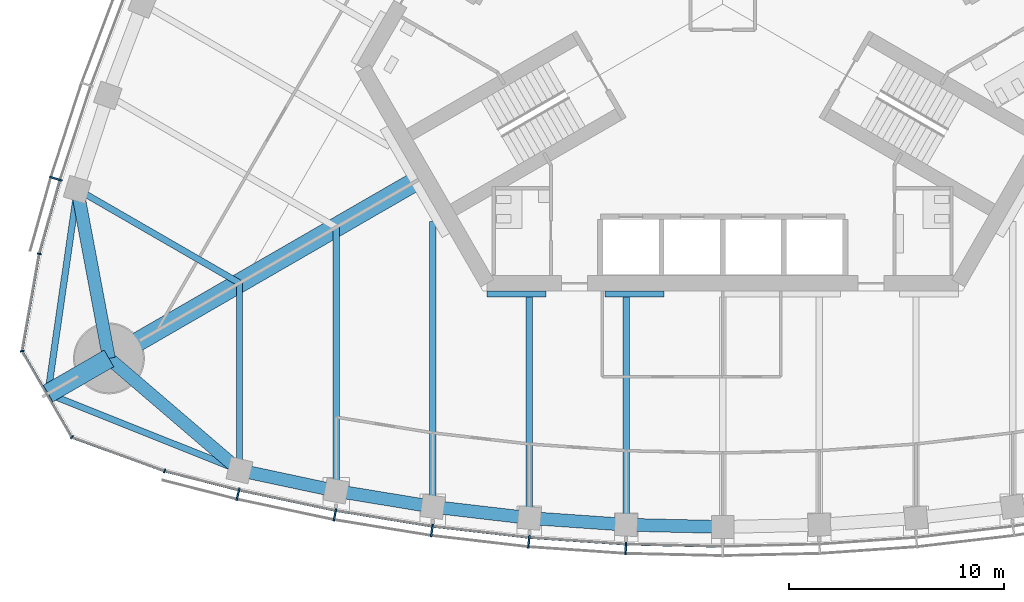
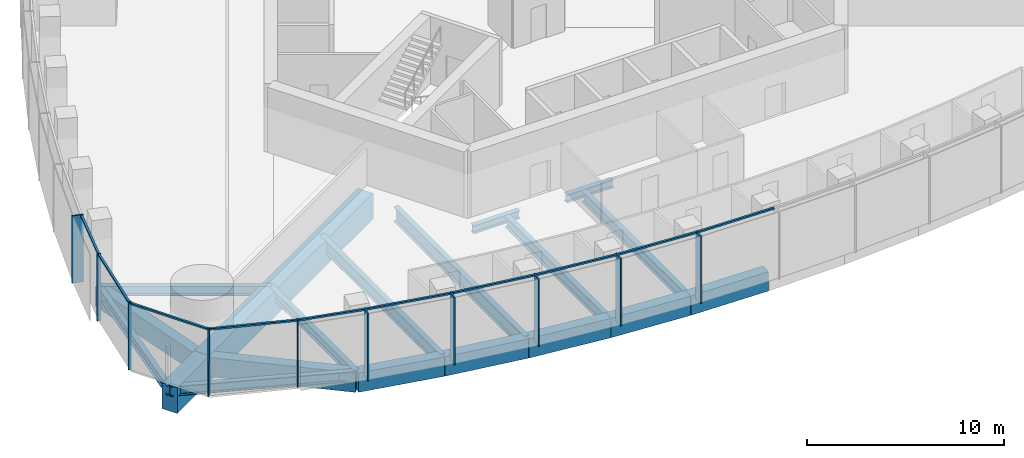
# One storey, part 2 of 20: 20 members, 19 beams, 3 elements without a shape of their own.
"""IFC4 building model written with IfcOpenShell, lengths in metres."""

from ifc_helpers import new_model, si_unit, direction, frame, origin, origin_2d, place, context, subcontext, project, spatial, rectangle, i_section, extrude, material, material_profile, profile_set, type_object, element, aggregate, save


model = new_model("IFC4")

# Units and contexts
model_context = context("Model", 3, precision=1e-05, world=origin(), true_north=direction((0.0, 1.0)))
body_context = subcontext(model_context, "Body", "Model", "MODEL_VIEW")
ifc_project = project(units=[si_unit("LENGTHUNIT", "METRE"), si_unit("AREAUNIT", "SQUARE_METRE"), si_unit("VOLUMEUNIT", "CUBIC_METRE"), si_unit("PLANEANGLEUNIT", "RADIAN"), si_unit("MASSUNIT", "GRAM", prefix="KILO")], contexts=[model_context])

# Site, building, storey
site_placement = place(None, origin())
site = spatial("IfcSite", under=ifc_project, at=site_placement, CompositionType="ELEMENT")
building_placement = place(site_placement, origin())
building = spatial("IfcBuilding", under=site, at=building_placement, Name="Trefoil Bronze Tower", CompositionType="ELEMENT")
storey_placement = place(building_placement, frame((0.0, 0.0, 231.699951171875)))
storey = spatial("IfcBuildingStorey", under=building, at=storey_placement, Name="L53", CompositionType="ELEMENT", Elevation=231.699951171875)

# Curtain wall, members
ifc_material_1 = material(Name="Tinted solar-control glass", Category="glass")
curtain_wall_type_1 = type_object("IfcCurtainWallType", Name="Bronze office curtain wall", PredefinedType="USERDEFINED", material=ifc_material_1)
curtain_wall_1_placement = place(storey_placement, origin())
curtain_wall_1 = element("IfcCurtainWall", 1, at=curtain_wall_1_placement, inside=storey, type_object=curtain_wall_type_1, Name="CW-A L53 F1", ObjectType="CURTAIN WALL", PredefinedType="USERDEFINED")
ifc_material_2 = material(Name="Bronze-finish aluminium", Category="aluminium")
ifc_material_profile_1 = material_profile(ifc_material_2, rectangle(XDim=0.60009765625, YDim=0.080078125, at=origin_2d()), Name="CW-A mullion")
ifc_profile_set_1 = profile_set([ifc_material_profile_1], Name="Bronze-finish aluminium")
member_type_1 = type_object("IfcMemberType", Name="Bronze office curtain wall mullion", PredefinedType="MULLION", material=ifc_profile_set_1)
member_1_placement = place(storey_placement, frame((-22.568115234375, -22.82421875, 0.0), z_axis=(0.0, 0.0, 1.0), x_axis=(0.227082662569, 0.973875487093, 0.0)))
member_1 = element("IfcMember", 2, at=member_1_placement, type_object=member_type_1, Name="CW-A L53 F1 mullion 2", PredefinedType="MULLION", context=body_context, shape_type="SweptSolid", body=[
    extrude(rectangle(XDim=0.60009765625, YDim=0.080078125, at=origin_2d()), origin(), (0.0, 0.0, 1.0), 4.179931640625),
])
member_2_placement = place(storey_placement, frame((-18.05517578125, -23.77783203125, 0.0), z_axis=(0.0, 0.0, 1.0), x_axis=(0.183825368167, 0.982958917767, 0.0)))
member_2 = element("IfcMember", 3, at=member_2_placement, type_object=member_type_1, Name="CW-A L53 F1 mullion 3", PredefinedType="MULLION", context=body_context, shape_type="SweptSolid", body=[
    extrude(rectangle(XDim=0.60009765625, YDim=0.080078125, at=origin_2d()), origin(), (0.0, 0.0, 1.0), 4.179931640625),
])
member_3_placement = place(storey_placement, frame((-13.541259765625, -24.51318359375, 0.0), z_axis=(0.0, 0.0, 1.0), x_axis=(0.137867887204, 0.990450627582, 0.0)))
member_3 = element("IfcMember", 4, at=member_3_placement, type_object=member_type_1, Name="CW-A L53 F1 mullion 4", PredefinedType="MULLION", context=body_context, shape_type="SweptSolid", body=[
    extrude(rectangle(XDim=0.60009765625, YDim=0.080078125, at=origin_2d()), origin(), (0.0, 0.0, 1.0), 4.179931640625),
])
member_4_placement = place(storey_placement, frame((-9.027587890625, -25.03515625, 0.0), z_axis=(0.0, 0.0, 1.0), x_axis=(0.091911396394, 0.995767189263, 0.0)))
member_4 = element("IfcMember", 5, at=member_4_placement, type_object=member_type_1, Name="CW-A L53 F1 mullion 5", PredefinedType="MULLION", context=body_context, shape_type="SweptSolid", body=[
    extrude(rectangle(XDim=0.60009765625, YDim=0.080078125, at=origin_2d()), origin(), (0.0, 0.0, 1.0), 4.179931640625),
])
member_5_placement = place(storey_placement, frame((-4.513671875, -25.346923828125, 0.0), z_axis=(0.0, 0.0, 1.0), x_axis=(0.045955542372, 0.998943485952, 0.0)))
member_5 = element("IfcMember", 6, at=member_5_placement, type_object=member_type_1, Name="CW-A L53 F1 mullion 6", PredefinedType="MULLION", context=body_context, shape_type="SweptSolid", body=[
    extrude(rectangle(XDim=0.60009765625, YDim=0.080078125, at=origin_2d()), origin(), (0.0, 0.0, 1.0), 4.179931640625),
])

# Curtain wall, member
curtain_wall_2_placement = place(storey_placement, origin())
curtain_wall_2 = element("IfcCurtainWall", 7, at=curtain_wall_2_placement, inside=storey, type_object=curtain_wall_type_1, Name="CW-A L53 F3", ObjectType="CURTAIN WALL", PredefinedType="USERDEFINED")
member_6_placement = place(storey_placement, frame((-31.05029296875, -8.132568359375, 0.0), z_axis=(0.0, 0.0, 1.0), x_axis=(0.95694224323, -0.290278389002, 0.0)))
member_6 = element("IfcMember", 8, at=member_6_placement, type_object=member_type_1, Name="CW-A L53 F3 mullion 12", PredefinedType="MULLION", context=body_context, shape_type="SweptSolid", body=[
    extrude(rectangle(XDim=0.60009765625, YDim=0.080078125, at=origin_2d()), origin(), (0.0, 0.0, 1.0), 4.179931640625),
])

# Member
ifc_material_3 = material(Name="Bronze-finish aluminium", Category="aluminium")
ifc_material_profile_2 = material_profile(ifc_material_3, rectangle(XDim=0.1201171875, YDim=0.10009765625, at=origin_2d()), Name="CW-A transom")
ifc_profile_set_2 = profile_set([ifc_material_profile_2], Name="Bronze-finish aluminium")
member_type_2 = type_object("IfcMemberType", Name="Bronze office curtain wall transom", PredefinedType="USERDEFINED", material=ifc_profile_set_2)
member_7_placement = place(storey_placement, frame((-25.93896484375, -21.75732421875, 4.130126953125), z_axis=(0.968935220916, -0.247314653162, 0.0), x_axis=(0.247314653162, 0.968935220916, 0.0)))
member_7 = element("IfcMember", 9, at=member_7_placement, type_object=member_type_2, Name="CW-A L53 F1 transom 1", ObjectType="TRANSOM", PredefinedType="USERDEFINED", context=body_context, shape_type="SweptSolid", body=[
    extrude(rectangle(XDim=0.1201171875, YDim=0.10009765625, at=origin_2d()), origin(), (0.0, 0.0, 1.0), 3.483642578125),
])

member_8_placement = place(storey_placement, frame((-22.4814453125, -22.63818359375, 4.130126953125), z_axis=(0.978395325657, -0.20674280334, 0.0), x_axis=(0.20674280334, 0.978395325657, 0.0)))
member_8 = element("IfcMember", 10, at=member_8_placement, type_object=member_type_2, Name="CW-A L53 F1 transom 2", ObjectType="TRANSOM", PredefinedType="USERDEFINED", context=body_context, shape_type="SweptSolid", body=[
    extrude(rectangle(XDim=0.1201171875, YDim=0.10009765625, at=origin_2d()), origin(), (0.0, 0.0, 1.0), 4.519287109375),
])

member_9_placement = place(storey_placement, frame((-17.9765625, -23.588134765625, 4.130126953125), z_axis=(0.986988367046, -0.160791676761, 0.0), x_axis=(0.160791676761, 0.986988367046, 0.0)))
member_9 = element("IfcMember", 11, at=member_9_placement, type_object=member_type_2, Name="CW-A L53 F1 transom 3", ObjectType="TRANSOM", PredefinedType="USERDEFINED", context=body_context, shape_type="SweptSolid", body=[
    extrude(rectangle(XDim=0.1201171875, YDim=0.10009765625, at=origin_2d()), origin(), (0.0, 0.0, 1.0), 4.479248046875),
])

member_10_placement = place(storey_placement, frame((-13.4716796875, -24.320068359375, 4.130126953125), z_axis=(0.993384885596, -0.114832352013, 0.0), x_axis=(0.114832352013, 0.993384885596, 0.0)))
member_10 = element("IfcMember", 12, at=member_10_placement, type_object=member_type_2, Name="CW-A L53 F1 transom 4", ObjectType="TRANSOM", PredefinedType="USERDEFINED", context=body_context, shape_type="SweptSolid", body=[
    extrude(rectangle(XDim=0.1201171875, YDim=0.10009765625, at=origin_2d()), origin(), (0.0, 0.0, 1.0), 4.449951171875),
])

member_11_placement = place(storey_placement, frame((-8.967041015625, -24.8388671875, 4.130126953125), z_axis=(0.997621320987, -0.06893257512, 0.0), x_axis=(0.06893257512, 0.997621320987, 0.0)))
member_11 = element("IfcMember", 13, at=member_11_placement, type_object=member_type_2, Name="CW-A L53 F1 transom 5", ObjectType="TRANSOM", PredefinedType="USERDEFINED", context=body_context, shape_type="SweptSolid", body=[
    extrude(rectangle(XDim=0.1201171875, YDim=0.10009765625, at=origin_2d()), origin(), (0.0, 0.0, 1.0), 4.4306640625),
])

member_12_placement = place(storey_placement, frame((-4.46240234375, -25.148193359375, 4.130126953125), z_axis=(0.999736131416, -0.022971015226, 0.0), x_axis=(0.022971015226, 0.999736131416, 0.0)))
member_12 = element("IfcMember", 14, at=member_12_placement, type_object=member_type_2, Name="CW-A L53 F1 transom 6", ObjectType="TRANSOM", PredefinedType="USERDEFINED", context=body_context, shape_type="SweptSolid", body=[
    extrude(rectangle(XDim=0.1201171875, YDim=0.10009765625, at=origin_2d()), origin(), (0.0, 0.0, 1.0), 4.42138671875),
])

aggregate(curtain_wall_1, [member_1, member_2, member_3, member_4, member_5, member_7, member_8, member_9, member_10, member_11, member_12])

member_13_placement = place(storey_placement, frame((-30.870361328125, -8.23095703125, 4.130126953125), z_axis=(-0.270284880437, -0.962780392097, 0.0), x_axis=(0.962780392097, -0.270284880437, 0.0)))
member_13 = element("IfcMember", 15, at=member_13_placement, type_object=member_type_2, Name="CW-A L53 F3 transom 12", ObjectType="TRANSOM", PredefinedType="USERDEFINED", context=body_context, shape_type="SweptSolid", body=[
    extrude(rectangle(XDim=0.1201171875, YDim=0.10009765625, at=origin_2d()), origin(), (0.0, 0.0, 1.0), 3.48388671875),
])

aggregate(curtain_wall_2, [member_6, member_13])

# Curtain wall, members
ifc_material_4 = material(Name="Tinted solar-control glass", Category="glass")
curtain_wall_type_2 = type_object("IfcCurtainWallType", Name="Bronze rounded corner curtain wall", PredefinedType="USERDEFINED", material=ifc_material_4)
curtain_wall_3_placement = place(storey_placement, origin())
curtain_wall_3 = element("IfcCurtainWall", 16, at=curtain_wall_3_placement, inside=storey, type_object=curtain_wall_type_2, Name="CW-B L53 K3", ObjectType="CURTAIN WALL", PredefinedType="USERDEFINED")
ifc_material_5 = material(Name="Bronze-finish aluminium", Category="aluminium")
ifc_material_profile_3 = material_profile(ifc_material_5, rectangle(XDim=0.199951171875, YDim=0.06005859375, at=origin_2d()), Name="CW-B mullion")
ifc_profile_set_3 = profile_set([ifc_material_profile_3], Name="Bronze-finish aluminium")
member_type_3 = type_object("IfcMemberType", Name="Bronze rounded corner curtain wall mullion", PredefinedType="MULLION", material=ifc_profile_set_3)
member_14_placement = place(storey_placement, frame((-31.824951171875, -11.63330078125, 0.0), z_axis=(0.0, 0.0, 1.0), x_axis=(0.984807753012, -0.173648177667, 0.0)))
member_14 = element("IfcMember", 17, at=member_14_placement, type_object=member_type_3, Name="CW-B L53 K3 mullion 1", PredefinedType="MULLION", context=body_context, shape_type="SweptSolid", body=[
    extrude(rectangle(XDim=0.199951171875, YDim=0.06005859375, at=origin_2d()), origin(), (0.0, 0.0, 1.0), 4.179931640625),
])
member_15_placement = place(storey_placement, frame((-32.616943359375, -16.158935546875, 0.0), z_axis=(0.0, 0.0, 1.0), x_axis=(0.984807753012, 0.173648177667, 0.0)))
member_15 = element("IfcMember", 18, at=member_15_placement, type_object=member_type_3, Name="CW-B L53 K3 mullion 2", PredefinedType="MULLION", context=body_context, shape_type="SweptSolid", body=[
    extrude(rectangle(XDim=0.199951171875, YDim=0.06005859375, at=origin_2d()), origin(), (0.0, 0.0, 1.0), 4.179931640625),
])
member_16_placement = place(storey_placement, frame((-30.302490234375, -20.16748046875, 0.0), z_axis=(0.0, 0.0, 1.0), x_axis=(0.642787609687, 0.766044443119, 0.0)))
member_16 = element("IfcMember", 19, at=member_16_placement, type_object=member_type_3, Name="CW-B L53 K3 mullion 3", PredefinedType="MULLION", context=body_context, shape_type="SweptSolid", body=[
    extrude(rectangle(XDim=0.199951171875, YDim=0.06005859375, at=origin_2d()), origin(), (0.0, 0.0, 1.0), 4.179931640625),
])
member_17_placement = place(storey_placement, frame((-25.9873046875, -21.74462890625, 0.0), z_axis=(0.0, 0.0, 1.0), x_axis=(0.342020143326, 0.939692620786, 0.0)))
member_17 = element("IfcMember", 20, at=member_17_placement, type_object=member_type_3, Name="CW-B L53 K3 mullion 4", PredefinedType="MULLION", context=body_context, shape_type="SweptSolid", body=[
    extrude(rectangle(XDim=0.199951171875, YDim=0.06005859375, at=origin_2d()), origin(), (0.0, 0.0, 1.0), 4.179931640625),
])
ifc_material_6 = material(Name="Bronze-finish aluminium", Category="aluminium")
ifc_material_profile_4 = material_profile(ifc_material_6, rectangle(XDim=0.1201171875, YDim=0.10009765625, at=origin_2d()), Name="CW-B transom")
ifc_profile_set_4 = profile_set([ifc_material_profile_4], Name="Bronze-finish aluminium")
member_type_4 = type_object("IfcMemberType", Name="Bronze rounded corner curtain wall transom", PredefinedType="USERDEFINED", material=ifc_profile_set_4)
member_18_placement = place(storey_placement, frame((-31.830078125, -11.662841796875, 4.130126953125), z_axis=(-0.173655350028, -0.984806488304, 0.0), x_axis=(0.984806488304, -0.173655350028, 0.0)))
member_18 = element("IfcMember", 21, at=member_18_placement, type_object=member_type_4, Name="CW-B L53 K3 transom 1", ObjectType="TRANSOM", PredefinedType="USERDEFINED", context=body_context, shape_type="SweptSolid", body=[
    extrude(rectangle(XDim=0.1201171875, YDim=0.10009765625, at=origin_2d()), origin(), (0.0, 0.0, 1.0), 4.500244140625),
])
member_19_placement = place(storey_placement, frame((-32.590087890625, -16.217529296875, 4.130126953125), z_axis=(0.500007335828, -0.866021168401, 0.0), x_axis=(0.866021168401, 0.500007335828, 0.0)))
member_19 = element("IfcMember", 22, at=member_19_placement, type_object=member_type_4, Name="CW-B L53 K3 transom 2", ObjectType="TRANSOM", PredefinedType="USERDEFINED", context=body_context, shape_type="SweptSolid", body=[
    extrude(rectangle(XDim=0.1201171875, YDim=0.10009765625, at=origin_2d()), origin(), (0.0, 0.0, 1.0), 4.50048828125),
])
member_20_placement = place(storey_placement, frame((-30.244140625, -20.195068359375, 4.130126953125), z_axis=(0.939680910753, -0.342052314664, 0.0), x_axis=(0.342052314664, 0.939680910753, 0.0)))
member_20 = element("IfcMember", 23, at=member_20_placement, type_object=member_type_4, Name="CW-B L53 K3 transom 3", ObjectType="TRANSOM", PredefinedType="USERDEFINED", context=body_context, shape_type="SweptSolid", body=[
    extrude(rectangle(XDim=0.1201171875, YDim=0.10009765625, at=origin_2d()), origin(), (0.0, 0.0, 1.0), 4.500244140625),
])
aggregate(curtain_wall_3, [member_14, member_15, member_16, member_17, member_18, member_19, member_20])

# Beams
ifc_material_7 = material(Name="Steel C355", Category="steel")
ifc_material_profile_5 = material_profile(ifc_material_7, i_section(OverallWidth=0.300048828125, OverallDepth=0.5, WebThickness=0.014404296875, FlangeThickness=0.028076171875, FilletRadius=0.027099609375, at=origin_2d()), Name="HEB 500")
ifc_profile_set_5 = profile_set([ifc_material_profile_5], Name="Steel C355")
beam_type_1 = type_object("IfcBeamType", Name="Core seat beam HEB 500", PredefinedType="BEAM", material=ifc_profile_set_5)
for number, where, z_axis, x_axis, name in (
    (24, (-10.9697265625, -13.5, -0.449951171875), (1.0, 0.0, 0.0), (0.0, 1.0, 0.0), "Core seat beam F1/-2 L53"),
    (25, (-5.48486328125, -13.5, -0.449951171875), (1.0, 0.0, 0.0), (0.0, 1.0, 0.0), "Core seat beam F1/-1 L53"),
):
    element("IfcBeam", number, at=place(storey_placement, frame(where, z_axis=z_axis, x_axis=x_axis)), inside=storey, type_object=beam_type_1, Name=name, PredefinedType="BEAM", context=body_context, shape_type="SweptSolid", body=[
        extrude(i_section(OverallWidth=0.300048828125, OverallDepth=0.5, WebThickness=0.014404296875, FlangeThickness=0.028076171875, FilletRadius=0.027099609375, at=origin_2d()), origin(), (0.0, 0.0, 1.0), 2.742431640625),
    ])
ifc_material_8 = material(Name="Concrete B80", Category="concrete")
ifc_material_profile_6 = material_profile(ifc_material_8, rectangle(XDim=0.89990234375, YDim=1.60009765625, at=origin_2d()), Name="RC 900x1600")
ifc_profile_set_6 = profile_set([ifc_material_profile_6], Name="Concrete B80")
beam_type_2 = type_object("IfcBeamType", Name="Corner cantilever RC 900x1600", PredefinedType="BEAM", material=ifc_profile_set_6)
beam_1_placement = place(storey_placement, frame((-28.578857421875, -16.5, -1.0), z_axis=(-0.866016004958, -0.500016278891, 0.0), x_axis=(0.500016278891, -0.866016004958, 0.0)))
element("IfcBeam", 26, at=beam_1_placement, inside=storey, type_object=beam_type_2, Name="Corner cantilever K3 L53", PredefinedType="BEAM", context=body_context, shape_type="SweptSolid", body=[
    extrude(rectangle(XDim=0.89990234375, YDim=1.60009765625, at=origin_2d()), origin(), (0.0, 0.0, 1.0), 3.28466796875),
])
ifc_material_9 = material(Name="Steel C355", Category="steel")
ifc_material_profile_7 = material_profile(ifc_material_9, i_section(OverallWidth=0.300048828125, OverallDepth=0.60009765625, WebThickness=0.015380859375, FlangeThickness=0.030029296875, FilletRadius=0.027099609375, at=origin_2d()), Name="HEB 600")
ifc_profile_set_7 = profile_set([ifc_material_profile_7], Name="Steel C355")
beam_type_3 = type_object("IfcBeamType", Name="Corner edge beam HEB 600", PredefinedType="BEAM", material=ifc_profile_set_7)
for number, where, z_axis, x_axis, name in (
    (27, (-22.5, -21.71044921875, -0.5), (-0.92852048463, 0.371281173266, 0.0), (-0.371281173266, -0.92852048463, 0.0), "Corner edge beam F1B L53"),
    (28, (-30.052001953125, -8.63037109375, -0.5), (-0.142694489722, -0.989766781925, 0.0), (0.989766781925, -0.142694489722, 0.0), "Corner edge beam F3A L53"),
):
    element("IfcBeam", number, at=place(storey_placement, frame(where, z_axis=z_axis, x_axis=x_axis)), inside=storey, type_object=beam_type_3, Name=name, PredefinedType="BEAM", context=body_context, shape_type="SweptSolid", body=[
        extrude(i_section(OverallWidth=0.300048828125, OverallDepth=0.60009765625, WebThickness=0.015380859375, FlangeThickness=0.030029296875, FilletRadius=0.027099609375, at=origin_2d()), origin(), (0.0, 0.0, 1.0), 9.6103515625),
    ])
ifc_material_10 = material(Name="Concrete B80", Category="concrete")
ifc_material_profile_8 = material_profile(ifc_material_10, rectangle(XDim=0.89990234375, YDim=1.60009765625, at=origin_2d()), Name="RC 900x1600")
ifc_profile_set_8 = profile_set([ifc_material_profile_8], Name="Concrete B80")
beam_type_4 = type_object("IfcBeamType", Name="Corner girder RC 900x1600", PredefinedType="BEAM", material=ifc_profile_set_8)
beam_2_placement = place(storey_placement, frame((-14.159423828125, -8.175048828125, -1.0), z_axis=(-0.866028334591, -0.49999492366, 0.0), x_axis=(0.49999492366, -0.866028334591, 0.0)))
element("IfcBeam", 29, at=beam_2_placement, inside=storey, type_object=beam_type_4, Name="Corner girder K3 L53", PredefinedType="BEAM", context=body_context, shape_type="SweptSolid", body=[
    extrude(rectangle(XDim=0.89990234375, YDim=1.60009765625, at=origin_2d()), origin(), (0.0, 0.0, 1.0), 16.650146484375),
])
ifc_material_11 = material(Name="Concrete B80", Category="concrete")
ifc_material_profile_9 = material_profile(ifc_material_11, rectangle(XDim=0.60009765625, YDim=1.199951171875, at=origin_2d()), Name="RC 600x1200")
ifc_profile_set_9 = profile_set([ifc_material_profile_9], Name="Concrete B80")
beam_type_5 = type_object("IfcBeamType", Name="End spandrel beam RC 600x1200", PredefinedType="SPANDREL", material=ifc_profile_set_9)
for number, where, z_axis, x_axis, name in (
    (30, (-28.578857421875, -16.5, -0.800048828125), (0.759256602365, -0.650791373456, 0.0), (0.650791373456, 0.759256602365, 0.0), "Spandrel F1.1 L53"),
    (31, (-30.052001953125, -8.63037109375, -0.800048828125), (0.18399763073, -0.982926686933, 0.0), (0.982926686933, 0.18399763073, 0.0), "Spandrel F3.12 L53"),
):
    element("IfcBeam", number, at=place(storey_placement, frame(where, z_axis=z_axis, x_axis=x_axis)), inside=storey, type_object=beam_type_5, Name=name, PredefinedType="SPANDREL", context=body_context, shape_type="SweptSolid", body=[
        extrude(rectangle(XDim=0.60009765625, YDim=1.199951171875, at=origin_2d()), origin(), (0.0, 0.0, 1.0), 8.00634765625),
    ])
ifc_material_12 = material(Name="Steel C355", Category="steel")
ifc_material_profile_10 = material_profile(ifc_material_12, i_section(OverallWidth=0.300048828125, OverallDepth=0.590087890625, WebThickness=0.012939453125, FlangeThickness=0.02490234375, FilletRadius=0.027099609375, at=origin_2d()), Name="HEA 600")
ifc_profile_set_10 = profile_set([ifc_material_profile_10], Name="Steel C355")
beam_type_6 = type_object("IfcBeamType", Name="Floor beam HEA 600", PredefinedType="BEAM", material=ifc_profile_set_10)
beam_3_placement = place(storey_placement, frame((-22.5, -21.71044921875, -0.494873046875), z_axis=(0.0, 1.0, 0.0), x_axis=(-1.0, 0.0, 0.0)))
element("IfcBeam", 32, at=beam_3_placement, inside=storey, type_object=beam_type_6, Name="Floor beam F1/-5 L53", PredefinedType="BEAM", context=body_context, shape_type="SweptSolid", body=[
    extrude(i_section(OverallWidth=0.300048828125, OverallDepth=0.590087890625, WebThickness=0.012939453125, FlangeThickness=0.02490234375, FilletRadius=0.027099609375, at=origin_2d()), origin(), (0.0, 0.0, 1.0), 8.719970703125),
])
beam_4_placement = place(storey_placement, frame((-30.052001953125, -8.63037109375, -0.494873046875), z_axis=(0.866027535932, -0.499996306993, 0.0), x_axis=(0.499996306993, 0.866027535932, 0.0)))
element("IfcBeam", 33, at=beam_4_placement, inside=storey, type_object=beam_type_6, Name="Floor beam F3/+5 L53", PredefinedType="BEAM", context=body_context, shape_type="SweptSolid", body=[
    extrude(i_section(OverallWidth=0.300048828125, OverallDepth=0.590087890625, WebThickness=0.012939453125, FlangeThickness=0.02490234375, FilletRadius=0.027099609375, at=origin_2d()), origin(), (0.0, 0.0, 1.0), 8.72021484375),
])
ifc_material_13 = material(Name="Steel C355", Category="steel")
ifc_material_profile_11 = material_profile(ifc_material_13, i_section(OverallWidth=0.300048828125, OverallDepth=0.699951171875, WebThickness=0.01708984375, FlangeThickness=0.031982421875, FilletRadius=0.027099609375, at=origin_2d()), Name="HEB 700")
ifc_profile_set_11 = profile_set([ifc_material_profile_11], Name="Steel C355")
beam_type_7 = type_object("IfcBeamType", Name="Floor beam HEB 700", PredefinedType="BEAM", material=ifc_profile_set_11)
beam_5_placement = place(storey_placement, frame((-9.0, -23.932861328125, -0.550048828125), z_axis=(0.0, 1.0, 0.0), x_axis=(-1.0, 0.0, 0.0)))
element("IfcBeam", 34, at=beam_5_placement, inside=storey, type_object=beam_type_7, Name="Floor beam F1/-2 L53", PredefinedType="BEAM", context=body_context, shape_type="SweptSolid", body=[
    extrude(i_section(OverallWidth=0.300048828125, OverallDepth=0.699951171875, WebThickness=0.01708984375, FlangeThickness=0.031982421875, FilletRadius=0.027099609375, at=origin_2d()), origin(), (0.0, 0.0, 1.0), 10.282958984375),
])
beam_6_placement = place(storey_placement, frame((-4.5, -24.246337890625, -0.550048828125), z_axis=(0.0, 1.0, 0.0), x_axis=(-1.0, 0.0, 0.0)))
element("IfcBeam", 35, at=beam_6_placement, inside=storey, type_object=beam_type_7, Name="Floor beam F1/-1 L53", PredefinedType="BEAM", context=body_context, shape_type="SweptSolid", body=[
    extrude(i_section(OverallWidth=0.300048828125, OverallDepth=0.699951171875, WebThickness=0.01708984375, FlangeThickness=0.031982421875, FilletRadius=0.027099609375, at=origin_2d()), origin(), (0.0, 0.0, 1.0), 10.596435546875),
])
ifc_material_14 = material(Name="Steel C355", Category="steel")
ifc_material_profile_12 = material_profile(ifc_material_14, i_section(OverallWidth=0.300048828125, OverallDepth=0.800048828125, WebThickness=0.017578125, FlangeThickness=0.032958984375, FilletRadius=0.030029296875, at=origin_2d()), Name="HEB 800")
ifc_profile_set_12 = profile_set([ifc_material_profile_12], Name="Steel C355")
beam_type_8 = type_object("IfcBeamType", Name="Floor beam HEB 800", PredefinedType="BEAM", material=ifc_profile_set_12)
beam_7_placement = place(storey_placement, frame((-18.0, -22.6689453125, -0.599853515625), z_axis=(0.0, 1.0, 0.0), x_axis=(-1.0, 0.0, 0.0)))
element("IfcBeam", 36, at=beam_7_placement, inside=storey, type_object=beam_type_8, Name="Floor beam F1/-4 L53", PredefinedType="BEAM", context=body_context, shape_type="SweptSolid", body=[
    extrude(i_section(OverallWidth=0.300048828125, OverallDepth=0.800048828125, WebThickness=0.017578125, FlangeThickness=0.032958984375, FilletRadius=0.030029296875, at=origin_2d()), origin(), (0.0, 0.0, 1.0), 12.276611328125),
])
ifc_material_15 = material(Name="Steel C355", Category="steel")
ifc_material_profile_13 = material_profile(ifc_material_15, i_section(OverallWidth=0.300048828125, OverallDepth=0.89990234375, WebThickness=0.0185546875, FlangeThickness=0.034912109375, FilletRadius=0.030029296875, at=origin_2d()), Name="HEB 900")
ifc_profile_set_13 = profile_set([ifc_material_profile_13], Name="Steel C355")
beam_type_9 = type_object("IfcBeamType", Name="Floor beam HEB 900", PredefinedType="BEAM", material=ifc_profile_set_13)
beam_8_placement = place(storey_placement, frame((-13.5, -23.408447265625, -0.64990234375), z_axis=(0.0, 1.0, 0.0), x_axis=(-1.0, 0.0, 0.0)))
element("IfcBeam", 37, at=beam_8_placement, inside=storey, type_object=beam_type_9, Name="Floor beam F1/-3 L53", PredefinedType="BEAM", context=body_context, shape_type="SweptSolid", body=[
    extrude(i_section(OverallWidth=0.300048828125, OverallDepth=0.89990234375, WebThickness=0.0185546875, FlangeThickness=0.034912109375, FilletRadius=0.030029296875, at=origin_2d()), origin(), (0.0, 0.0, 1.0), 13.291015625),
])
ifc_material_16 = material(Name="Concrete B80", Category="concrete")
ifc_material_profile_14 = material_profile(ifc_material_16, rectangle(XDim=0.60009765625, YDim=1.199951171875, at=origin_2d()), Name="RC 600x1200")
ifc_profile_set_14 = profile_set([ifc_material_profile_14], Name="Concrete B80")
beam_type_10 = type_object("IfcBeamType", Name="Spandrel beam RC 600x1200", PredefinedType="SPANDREL", material=ifc_profile_set_14)
beam_9_placement = place(storey_placement, frame((-22.5, -21.71044921875, -0.800048828125), z_axis=(0.978059483036, -0.208325820877, 0.0), x_axis=(0.208325820877, 0.978059483036, 0.0)))
element("IfcBeam", 38, at=beam_9_placement, inside=storey, type_object=beam_type_10, Name="Spandrel F1.2 L53", PredefinedType="SPANDREL", context=body_context, shape_type="SweptSolid", body=[
    extrude(rectangle(XDim=0.60009765625, YDim=1.199951171875, at=origin_2d()), origin(), (0.0, 0.0, 1.0), 4.600830078125),
])
beam_10_placement = place(storey_placement, frame((-18.0, -22.6689453125, -0.800048828125), z_axis=(0.986764681833, -0.162158757664, 0.0), x_axis=(0.162158757664, 0.986764681833, 0.0)))
element("IfcBeam", 39, at=beam_10_placement, inside=storey, type_object=beam_type_10, Name="Spandrel F1.3 L53", PredefinedType="SPANDREL", context=body_context, shape_type="SweptSolid", body=[
    extrude(rectangle(XDim=0.60009765625, YDim=1.199951171875, at=origin_2d()), origin(), (0.0, 0.0, 1.0), 4.560302734375),
])
beam_11_placement = place(storey_placement, frame((-13.5, -23.408447265625, -0.800048828125), z_axis=(0.993278017132, -0.115753102257, 0.0), x_axis=(0.115753102257, 0.993278017132, 0.0)))
element("IfcBeam", 40, at=beam_11_placement, inside=storey, type_object=beam_type_10, Name="Spandrel F1.4 L53", PredefinedType="SPANDREL", context=body_context, shape_type="SweptSolid", body=[
    extrude(rectangle(XDim=0.60009765625, YDim=1.199951171875, at=origin_2d()), origin(), (0.0, 0.0, 1.0), 4.530517578125),
])
beam_12_placement = place(storey_placement, frame((-9.0, -23.932861328125, -0.800048828125), z_axis=(0.997582435881, -0.069493047291, 0.0), x_axis=(0.069493047291, 0.997582435881, 0.0)))
element("IfcBeam", 41, at=beam_12_placement, inside=storey, type_object=beam_type_10, Name="Spandrel F1.5 L53", PredefinedType="SPANDREL", context=body_context, shape_type="SweptSolid", body=[
    extrude(rectangle(XDim=0.60009765625, YDim=1.199951171875, at=origin_2d()), origin(), (0.0, 0.0, 1.0), 4.510986328125),
])
beam_13_placement = place(storey_placement, frame((-4.5, -24.246337890625, -0.800048828125), z_axis=(0.999731770792, -0.023160018779, 0.0), x_axis=(0.023160018779, 0.999731770792, 0.0)))
element("IfcBeam", 42, at=beam_13_placement, inside=storey, type_object=beam_type_10, Name="Spandrel F1.6 L53", PredefinedType="SPANDREL", context=body_context, shape_type="SweptSolid", body=[
    extrude(rectangle(XDim=0.60009765625, YDim=1.199951171875, at=origin_2d()), origin(), (0.0, 0.0, 1.0), 4.501220703125),
])

save(model, "model.ifc")
